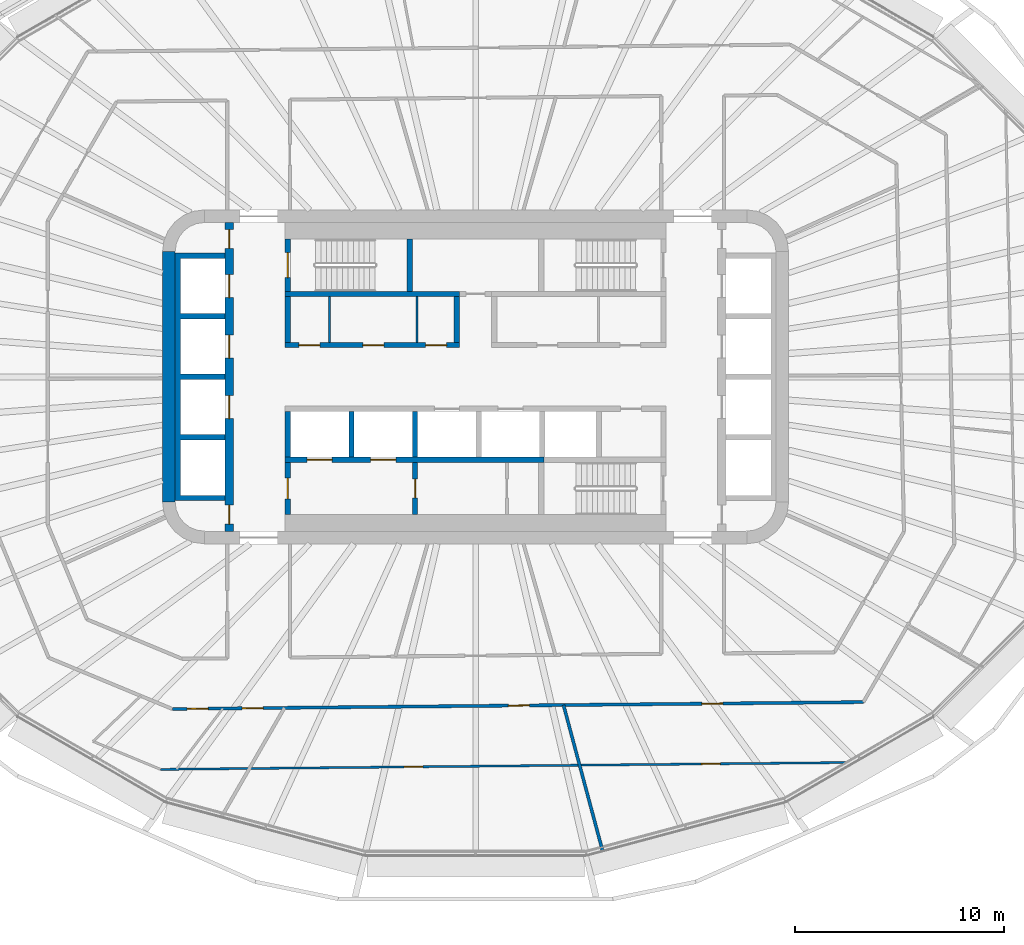
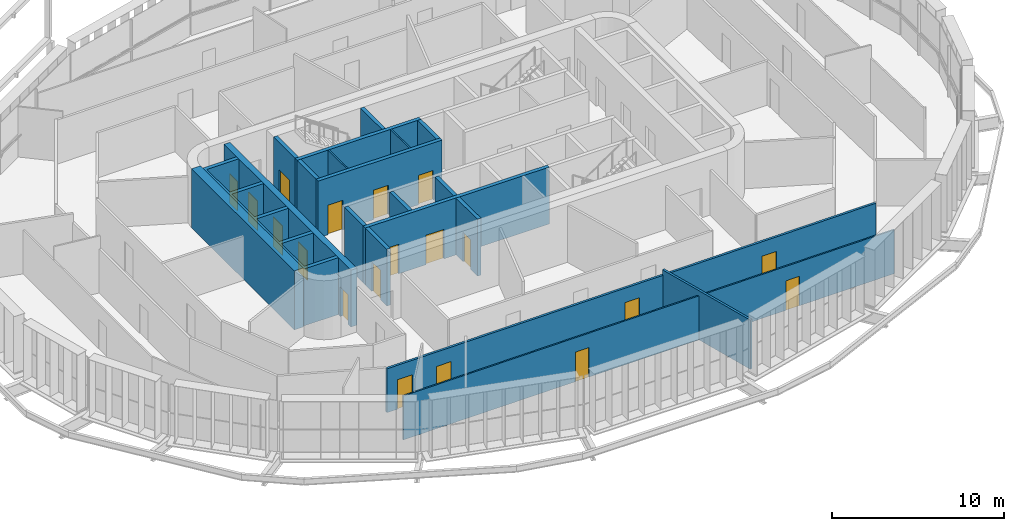
# One storey, part 13 of 24: 20 walls, 19 doors, 19 openings.
"""IFC4 building model written with IfcOpenShell, lengths in metres."""

from ifc_helpers import new_model, si_unit, direction, frame, frame_2d, origin, place, context, subcontext, project, spatial, polyline, rectangle, outline, extrude, material, layer, layer_set, type_object, element, fill, save


model = new_model("IFC4")

# Units and contexts
model_context = context("Model", 3, precision=1e-05, world=origin(), true_north=direction((0.0, 1.0)))
body_context = subcontext(model_context, "Body", "Model", "MODEL_VIEW")
ifc_project = project(units=[si_unit("LENGTHUNIT", "METRE"), si_unit("AREAUNIT", "SQUARE_METRE"), si_unit("VOLUMEUNIT", "CUBIC_METRE"), si_unit("PLANEANGLEUNIT", "RADIAN"), si_unit("MASSUNIT", "GRAM", prefix="KILO")], contexts=[model_context])

# Site, building, storey
site_placement = place(None, origin())
site = spatial("IfcSite", under=ifc_project, at=site_placement, CompositionType="ELEMENT")
building_placement = place(site_placement, origin())
building = spatial("IfcBuilding", under=site, at=building_placement, Name="Sahrelin Media Tower", CompositionType="ELEMENT")
storey_placement = place(building_placement, frame((0.0, 0.0, 58.800048828125)))
storey = spatial("IfcBuildingStorey", under=building, at=storey_placement, Name="L09", CompositionType="ELEMENT", Elevation=58.800048828125)

# Wall
ifc_material_1 = material(Name="Concrete C60/75", Category="concrete")
ifc_layer_1 = layer(ifc_material_1, 0.60009765625)
ifc_layer_set_1 = layer_set([ifc_layer_1], Name="Core wall 600")
wall_type_1 = type_object("IfcWallType", Name="Core wall 600", PredefinedType="SHEAR", material=ifc_layer_set_1)
wall_1_placement = place(storey_placement, frame((-14.699951171875, -6.0, 0.0), z_axis=(0.0, 0.0, 1.0), x_axis=(0.0, 1.0, 0.0)))
element("IfcWall", 1, at=wall_1_placement, inside=storey, type_object=wall_type_1, Name="Core wall W L09", PredefinedType="SHEAR", context=body_context, shape_type="SweptSolid", body=[
    extrude(rectangle(XDim=12.0, YDim=0.60009765625, at=frame_2d((6.0, 0.0))), origin(), (0.0, 0.0, 1.0), 4.199951171875),
])

# Wall, openings, doors
ifc_material_2 = material(Name="Fire-rated gypsum board partition")
ifc_layer_2 = layer(ifc_material_2, 0.25)
ifc_layer_set_2 = layer_set([ifc_layer_2], Name="Fire-rated lobby wall 250")
wall_type_2 = type_object("IfcWallType", Name="Fire-rated lobby wall 250", PredefinedType="PARTITIONING", material=ifc_layer_set_2)
wall_2_placement = place(storey_placement, frame((-9.125, 1.52490234375, 0.0), z_axis=(0.0, 0.0, 1.0), x_axis=(1.0, 0.0, 0.0)))
wall_2 = element("IfcWall", 2, at=wall_2_placement, inside=storey, type_object=wall_type_2, Name="Core lobby wall", PredefinedType="PARTITIONING", context=body_context, shape_type="SweptSolid", body=[
    extrude(rectangle(XDim=8.35009765625, YDim=0.25, at=frame_2d((4.175048828125, 0.0))), origin(), (0.0, 0.0, 1.0), 4.050048828125),
])
opening_1_placement = place(wall_2_placement, frame((0.66259765625, 0.0, 0.0)))
opening_1 = element("IfcOpeningElement", 3, at=opening_1_placement, cuts=wall_2, Name="Opening L09-D08", PredefinedType="OPENING", context=body_context, shape_type="SweptSolid", body=[
    extrude(rectangle(XDim=1.0, YDim=2.10009765625, at=frame_2d((0.5, 1.050048828125))), frame((0.0, 0.125, 0.0), z_axis=(0.0, -1.0, 0.0), x_axis=(1.0, 0.0, 0.0)), (0.0, 0.0, 1.0), 0.25),
])
opening_2_placement = place(wall_2_placement, frame((3.72509765625, 0.0, 0.0)))
opening_2 = element("IfcOpeningElement", 4, at=opening_2_placement, cuts=wall_2, Name="Opening L09-D09", PredefinedType="OPENING", context=body_context, shape_type="SweptSolid", body=[
    extrude(rectangle(XDim=1.0, YDim=2.10009765625, at=frame_2d((0.5, 1.050048828125))), frame((0.0, 0.125, 0.0), z_axis=(0.0, -1.0, 0.0), x_axis=(1.0, 0.0, 0.0)), (0.0, 0.0, 1.0), 0.25),
])
opening_3_placement = place(wall_2_placement, frame((6.737548828125, 0.0, 0.0)))
opening_3 = element("IfcOpeningElement", 5, at=opening_3_placement, cuts=wall_2, Name="Opening L09-D10", PredefinedType="OPENING", context=body_context, shape_type="SweptSolid", body=[
    extrude(rectangle(XDim=1.0, YDim=2.10009765625, at=frame_2d((0.5, 1.050048828125))), frame((0.0, 0.125, 0.0), z_axis=(0.0, -1.0, 0.0), x_axis=(1.0, 0.0, 0.0)), (0.0, 0.0, 1.0), 0.25),
])
ifc_material_3 = material(Name="Steel fire door leaf", Category="steel")
door_type_1 = type_object("IfcDoorType", Name="Fire door 1000 x 2100 EI 60", OperationType="NOTDEFINED", PredefinedType="DOOR", material=ifc_material_3)
door_1_placement = place(opening_1_placement, origin())
door_1 = element("IfcDoor", 6, at=door_1_placement, inside=storey, type_object=door_type_1, Name="Core room door", OperationType="SINGLE_SWING_LEFT", OverallHeight=2.10009765625, OverallWidth=1.0, PredefinedType="DOOR", context=body_context, shape_type="SweptSolid", body=[
    extrude(rectangle(XDim=1.0, YDim=2.10009765625, at=frame_2d((0.5, 1.050048828125))), frame((0.0, 0.02490234375, 0.0), z_axis=(0.0, -1.0, 0.0), x_axis=(1.0, 0.0, 0.0)), (0.0, 0.0, 1.0), 0.050048828125),
])
fill(opening_1, door_1)
door_2_placement = place(opening_2_placement, origin())
door_2 = element("IfcDoor", 7, at=door_2_placement, inside=storey, type_object=door_type_1, Name="Core room door", OperationType="SINGLE_SWING_LEFT", OverallHeight=2.10009765625, OverallWidth=1.0, PredefinedType="DOOR", context=body_context, shape_type="SweptSolid", body=[
    extrude(rectangle(XDim=1.0, YDim=2.10009765625, at=frame_2d((0.5, 1.050048828125))), frame((0.0, 0.02490234375, 0.0), z_axis=(0.0, -1.0, 0.0), x_axis=(1.0, 0.0, 0.0)), (0.0, 0.0, 1.0), 0.050048828125),
])
fill(opening_2, door_2)
door_3_placement = place(opening_3_placement, origin())
door_3 = element("IfcDoor", 8, at=door_3_placement, inside=storey, type_object=door_type_1, Name="Core room door", OperationType="SINGLE_SWING_LEFT", OverallHeight=2.10009765625, OverallWidth=1.0, PredefinedType="DOOR", context=body_context, shape_type="SweptSolid", body=[
    extrude(rectangle(XDim=1.0, YDim=2.10009765625, at=frame_2d((0.5, 1.050048828125))), frame((0.0, 0.02490234375, 0.0), z_axis=(0.0, -1.0, 0.0), x_axis=(1.0, 0.0, 0.0)), (0.0, 0.0, 1.0), 0.050048828125),
])
fill(opening_3, door_3)

# Walls
for number, where, z_axis, x_axis, name in (
    (9, (-9.0, 1.64990234375, 0.0), (0.0, 0.0, 1.0), (0.0, 1.0, 0.0), "Core lobby wall"),
    (10, (-0.89990234375, 1.64990234375, 0.0), (0.0, 0.0, 1.0), (0.0, 1.0, 0.0), "Core lobby wall"),
):
    element("IfcWall", number, at=place(storey_placement, frame(where, z_axis=z_axis, x_axis=x_axis)), inside=storey, type_object=wall_type_2, Name=name, PredefinedType="PARTITIONING", context=body_context, shape_type="SweptSolid", body=[
        extrude(rectangle(XDim=2.2001953125, YDim=0.25, at=frame_2d((1.10009765625, 0.0))), origin(), (0.0, 0.0, 1.0), 4.050048828125),
    ])
ifc_layer_3 = layer(ifc_material_2, 0.10009765625)
ifc_layer_set_3 = layer_set([ifc_layer_3], Name="Fire-rated partition 100")
wall_type_3 = type_object("IfcWallType", Name="Fire-rated partition 100", PredefinedType="PARTITIONING", material=ifc_layer_set_3)
for number, where, z_axis, x_axis, name in (
    (11, (-7.0, 1.64990234375, 0.0), (0.0, 0.0, 1.0), (0.0, 1.0, 0.0), "Core room partition"),
    (12, (-2.800048828125, 1.64990234375, 0.0), (0.0, 0.0, 1.0), (0.0, 1.0, 0.0), "Core room partition"),
):
    element("IfcWall", number, at=place(storey_placement, frame(where, z_axis=z_axis, x_axis=x_axis)), inside=storey, type_object=wall_type_3, Name=name, PredefinedType="PARTITIONING", context=body_context, shape_type="SweptSolid", body=[
        extrude(rectangle(XDim=2.2001953125, YDim=0.10009765625, at=frame_2d((1.10009765625, 0.0))), origin(), (0.0, 0.0, 1.0), 4.050048828125),
    ])
ifc_layer_4 = layer(ifc_material_2, 0.14990234375)
ifc_layer_set_4 = layer_set([ifc_layer_4], Name="Fire-rated partition 150")
wall_type_4 = type_object("IfcWallType", Name="Fire-rated partition 150", PredefinedType="PARTITIONING", material=ifc_layer_set_4)
wall_3_placement = place(storey_placement, frame((4.215087890625, -15.72998046875, 0.0), z_axis=(0.0, 0.0, 1.0), x_axis=(0.25877927493, -0.965936481797, 0.0)))
element("IfcWall", 13, at=wall_3_placement, inside=storey, type_object=wall_type_4, Name="Wall", PredefinedType="PARTITIONING", context=body_context, shape_type="SweptSolid", body=[
    extrude(rectangle(XDim=7.252197265625, YDim=0.14990234375, at=frame_2d((3.6259765625, 0.0))), origin(), (0.0, 0.0, 1.0), 3.501708984375),
])

# Wall, openings, doors
wall_4_placement = place(storey_placement, frame((-14.533935546875, -15.916015625, 0.0), z_axis=(0.0, 0.0, 1.0), x_axis=(0.999950637767, 0.009935896005, 0.0)))
wall_4 = element("IfcWall", 14, at=wall_4_placement, inside=storey, type_object=wall_type_4, Name="Wall", PredefinedType="PARTITIONING", context=body_context, shape_type="SweptSolid", body=[
    extrude(rectangle(XDim=33.12255859375, YDim=0.14990234375, at=frame_2d((16.561279296875, 0.0))), origin(), (0.0, 0.0, 1.0), 3.126953125),
])
opening_4_placement = place(wall_4_placement, frame((0.713134765625, 0.0, 0.0)))
opening_4 = element("IfcOpeningElement", 15, at=opening_4_placement, cuts=wall_4, Name="Opening L09-D42", PredefinedType="OPENING", context=body_context, shape_type="SweptSolid", body=[
    extrude(rectangle(XDim=1.0, YDim=2.10009765625, at=frame_2d((0.5, 1.050048828125))), frame((0.0, 0.074951171875, 0.0), z_axis=(0.0, -1.0, 0.0), x_axis=(1.0, 0.0, 0.0)), (0.0, 0.0, 1.0), 0.14990234375),
])
opening_5_placement = place(wall_4_placement, frame((3.3486328125, 0.0, 0.0)))
opening_5 = element("IfcOpeningElement", 16, at=opening_5_placement, cuts=wall_4, Name="Opening L09-D43", PredefinedType="OPENING", context=body_context, shape_type="SweptSolid", body=[
    extrude(rectangle(XDim=1.0, YDim=2.10009765625, at=frame_2d((0.5, 1.050048828125))), frame((0.0, 0.074951171875, 0.0), z_axis=(0.0, -1.0, 0.0), x_axis=(1.0, 0.0, 0.0)), (0.0, 0.0, 1.0), 0.14990234375),
])
opening_6_placement = place(wall_4_placement, frame((16.111328125, 0.0, 0.0)))
opening_6 = element("IfcOpeningElement", 17, at=opening_6_placement, cuts=wall_4, Name="Opening L09-D45", PredefinedType="OPENING", context=body_context, shape_type="SweptSolid", body=[
    extrude(rectangle(XDim=1.0, YDim=2.10009765625, at=frame_2d((0.5, 1.050048828125))), frame((0.0, 0.074951171875, 0.0), z_axis=(0.0, -1.0, 0.0), x_axis=(1.0, 0.0, 0.0)), (0.0, 0.0, 1.0), 0.14990234375),
])
opening_7_placement = place(wall_4_placement, frame((25.3857421875, 0.0, 0.0)))
opening_7 = element("IfcOpeningElement", 18, at=opening_7_placement, cuts=wall_4, Name="Opening L09-D47", PredefinedType="OPENING", context=body_context, shape_type="SweptSolid", body=[
    extrude(rectangle(XDim=1.0, YDim=2.10009765625, at=frame_2d((0.5, 1.050048828125))), frame((0.0, 0.074951171875, 0.0), z_axis=(0.0, -1.0, 0.0), x_axis=(1.0, 0.0, 0.0)), (0.0, 0.0, 1.0), 0.14990234375),
])
door_4_placement = place(opening_4_placement, origin())
door_4 = element("IfcDoor", 19, at=door_4_placement, inside=storey, type_object=door_type_1, Name="Fire door", OperationType="SINGLE_SWING_RIGHT", OverallHeight=2.10009765625, OverallWidth=1.0, PredefinedType="DOOR", context=body_context, shape_type="SweptSolid", body=[
    extrude(rectangle(XDim=1.0, YDim=2.10009765625, at=frame_2d((0.5, 1.050048828125))), frame((0.0, 0.02490234375, 0.0), z_axis=(0.0, -1.0, 0.0), x_axis=(1.0, 0.0, 0.0)), (0.0, 0.0, 1.0), 0.050048828125),
])
fill(opening_4, door_4)
door_5_placement = place(opening_5_placement, origin())
door_5 = element("IfcDoor", 20, at=door_5_placement, inside=storey, type_object=door_type_1, Name="Fire door", OperationType="SINGLE_SWING_RIGHT", OverallHeight=2.10009765625, OverallWidth=1.0, PredefinedType="DOOR", context=body_context, shape_type="SweptSolid", body=[
    extrude(rectangle(XDim=1.0, YDim=2.10009765625, at=frame_2d((0.5, 1.050048828125))), frame((0.0, 0.02490234375, 0.0), z_axis=(0.0, -1.0, 0.0), x_axis=(1.0, 0.0, 0.0)), (0.0, 0.0, 1.0), 0.050048828125),
])
fill(opening_5, door_5)
door_6_placement = place(opening_6_placement, origin())
door_6 = element("IfcDoor", 21, at=door_6_placement, inside=storey, type_object=door_type_1, Name="Fire door", OperationType="SINGLE_SWING_LEFT", OverallHeight=2.10009765625, OverallWidth=1.0, PredefinedType="DOOR", context=body_context, shape_type="SweptSolid", body=[
    extrude(rectangle(XDim=1.0, YDim=2.10009765625, at=frame_2d((0.5, 1.050048828125))), frame((0.0, 0.02490234375, 0.0), z_axis=(0.0, -1.0, 0.0), x_axis=(1.0, 0.0, 0.0)), (0.0, 0.0, 1.0), 0.050048828125),
])
fill(opening_6, door_6)
door_7_placement = place(opening_7_placement, origin())
door_7 = element("IfcDoor", 22, at=door_7_placement, inside=storey, type_object=door_type_1, Name="Fire door", OperationType="SINGLE_SWING_RIGHT", OverallHeight=2.10009765625, OverallWidth=1.0, PredefinedType="DOOR", context=body_context, shape_type="SweptSolid", body=[
    extrude(rectangle(XDim=1.0, YDim=2.10009765625, at=frame_2d((0.5, 1.050048828125))), frame((0.0, 0.02490234375, 0.0), z_axis=(0.0, -1.0, 0.0), x_axis=(1.0, 0.0, 0.0)), (0.0, 0.0, 1.0), 0.050048828125),
])
fill(opening_7, door_7)

# Wall, opening, door
ifc_layer_5 = layer(ifc_material_2, 0.25)
ifc_layer_set_5 = layer_set([ifc_layer_5], Name="Firefighting lobby wall 250")
wall_type_5 = type_object("IfcWallType", Name="Firefighting lobby wall 250", PredefinedType="PARTITIONING", material=ifc_layer_set_5)
wall_5_placement = place(storey_placement, frame((-9.0, -6.60009765625, 0.0), z_axis=(0.0, 0.0, 1.0), x_axis=(0.0, 1.0, 0.0)))
wall_5 = element("IfcWall", 23, at=wall_5_placement, inside=storey, type_object=wall_type_5, Name="Core wall", PredefinedType="PARTITIONING", context=body_context, shape_type="SweptSolid", body=[
    extrude(rectangle(XDim=2.5, YDim=0.25, at=frame_2d((1.25, 0.0))), origin(), (0.0, 0.0, 1.0), 4.050048828125),
])
opening_8_placement = place(wall_5_placement, frame((0.75, 0.0, 0.0)))
opening_8 = element("IfcOpeningElement", 24, at=opening_8_placement, cuts=wall_5, Name="Opening L09-D04", PredefinedType="OPENING", context=body_context, shape_type="SweptSolid", body=[
    extrude(rectangle(XDim=1.0, YDim=2.10009765625, at=frame_2d((0.5, 1.050048828125))), frame((0.0, 0.125, 0.0), z_axis=(0.0, -1.0, 0.0), x_axis=(1.0, 0.0, 0.0)), (0.0, 0.0, 1.0), 0.25),
])
door_type_2 = type_object("IfcDoorType", Name="Firefighting lobby door 1000 x 2100 EI 120", OperationType="NOTDEFINED", PredefinedType="DOOR", material=ifc_material_3)
door_8_placement = place(opening_8_placement, origin())
door_8 = element("IfcDoor", 25, at=door_8_placement, inside=storey, type_object=door_type_2, Name="Firefighting lobby door", OperationType="SINGLE_SWING_LEFT", OverallHeight=2.10009765625, OverallWidth=1.0, PredefinedType="DOOR", context=body_context, shape_type="SweptSolid", body=[
    extrude(rectangle(XDim=1.0, YDim=2.10009765625, at=frame_2d((0.5, 1.050048828125))), frame((0.0, 0.02490234375, 0.0), z_axis=(0.0, -1.0, 0.0), x_axis=(1.0, 0.0, 0.0)), (0.0, 0.0, 1.0), 0.050048828125),
])
fill(opening_8, door_8)

wall_6_placement = place(storey_placement, frame((-2.89990234375, -6.60009765625, 0.0), z_axis=(0.0, 0.0, 1.0), x_axis=(0.0, 1.0, 0.0)))
wall_6 = element("IfcWall", 26, at=wall_6_placement, inside=storey, type_object=wall_type_5, Name="Core wall", PredefinedType="PARTITIONING", context=body_context, shape_type="SweptSolid", body=[
    extrude(rectangle(XDim=2.5, YDim=0.25, at=frame_2d((1.25, 0.0))), origin(), (0.0, 0.0, 1.0), 4.050048828125),
])
opening_9_placement = place(wall_6_placement, frame((0.800048828125, 0.0, 0.0)))
opening_9 = element("IfcOpeningElement", 27, at=opening_9_placement, cuts=wall_6, Name="Opening L09-D05", PredefinedType="OPENING", context=body_context, shape_type="SweptSolid", body=[
    extrude(rectangle(XDim=0.89990234375, YDim=2.10009765625, at=frame_2d((0.449951171875, 1.050048828125))), frame((0.0, 0.125, 0.0), z_axis=(0.0, -1.0, 0.0), x_axis=(1.0, 0.0, 0.0)), (0.0, 0.0, 1.0), 0.25),
])
door_type_3 = type_object("IfcDoorType", Name="Firefighting lobby door 900 x 2100 EI 120", OperationType="NOTDEFINED", PredefinedType="DOOR", material=ifc_material_3)
door_9_placement = place(opening_9_placement, origin())
door_9 = element("IfcDoor", 28, at=door_9_placement, inside=storey, type_object=door_type_3, Name="Riser door", OperationType="SINGLE_SWING_RIGHT", OverallHeight=2.10009765625, OverallWidth=0.89990234375, PredefinedType="DOOR", context=body_context, shape_type="SweptSolid", body=[
    extrude(rectangle(XDim=0.89990234375, YDim=2.10009765625, at=frame_2d((0.449951171875, 1.050048828125))), frame((0.0, 0.02490234375, 0.0), z_axis=(0.0, -1.0, 0.0), x_axis=(1.0, 0.0, 0.0)), (0.0, 0.0, 1.0), 0.050048828125),
])
fill(opening_9, door_9)

# Wall, openings, doors
ifc_layer_6 = layer(ifc_material_1, 0.25)
ifc_layer_set_6 = layer_set([ifc_layer_6], Name="Lift shaft wall 250")
wall_type_6 = type_object("IfcWallType", Name="Lift shaft wall 250", PredefinedType="SOLIDWALL", material=ifc_layer_set_6)
wall_7_placement = place(storey_placement, frame((-9.125, -3.97509765625, 0.0), z_axis=(0.0, 0.0, 1.0), x_axis=(1.0, 0.0, 0.0)))
wall_7 = element("IfcWall", 29, at=wall_7_placement, inside=storey, type_object=wall_type_6, Name="Lift shaft wall", PredefinedType="SOLIDWALL", context=body_context, shape_type="SweptSolid", body=[
    extrude(rectangle(XDim=12.39990234375, YDim=0.25, at=frame_2d((6.199951171875, 0.0))), origin(), (0.0, 0.0, 1.0), 4.050048828125),
])
opening_10_placement = place(wall_7_placement, frame((1.050048828125, 0.0, 0.0)))
opening_10 = element("IfcOpeningElement", 30, at=opening_10_placement, cuts=wall_7, Name="Opening L09-LD-FF1", PredefinedType="OPENING", context=body_context, shape_type="SweptSolid", body=[
    extrude(rectangle(XDim=1.199951171875, YDim=2.10009765625, at=frame_2d((0.60009765625, 1.050048828125))), frame((0.0, 0.125, 0.0), z_axis=(0.0, -1.0, 0.0), x_axis=(1.0, 0.0, 0.0)), (0.0, 0.0, 1.0), 0.25),
])
opening_11_placement = place(wall_7_placement, frame((4.10009765625, 0.0, 0.0)))
opening_11 = element("IfcOpeningElement", 31, at=opening_11_placement, cuts=wall_7, Name="Opening L09-LD-FF2", PredefinedType="OPENING", context=body_context, shape_type="SweptSolid", body=[
    extrude(rectangle(XDim=1.199951171875, YDim=2.10009765625, at=frame_2d((0.60009765625, 1.050048828125))), frame((0.0, 0.125, 0.0), z_axis=(0.0, -1.0, 0.0), x_axis=(1.0, 0.0, 0.0)), (0.0, 0.0, 1.0), 0.25),
])
ifc_material_4 = material(Name="Stainless steel", Category="steel")
door_type_4 = type_object("IfcDoorType", Name="Lift landing door 1200 x 2100 EI 120", OperationType="DOUBLE_DOOR_SLIDING", PredefinedType="DOOR", material=ifc_material_4)
door_10_placement = place(opening_10_placement, origin())
door_10 = element("IfcDoor", 32, at=door_10_placement, inside=storey, type_object=door_type_4, Name="Lift landing door FF1", OperationType="DOUBLE_DOOR_SLIDING", OverallHeight=2.10009765625, OverallWidth=1.199951171875, PredefinedType="DOOR", context=body_context, shape_type="SweptSolid", body=[
    extrude(rectangle(XDim=1.199951171875, YDim=2.10009765625, at=frame_2d((0.60009765625, 1.050048828125))), frame((0.0, 0.02490234375, 0.0), z_axis=(0.0, -1.0, 0.0), x_axis=(1.0, 0.0, 0.0)), (0.0, 0.0, 1.0), 0.050048828125),
])
fill(opening_10, door_10)
door_11_placement = place(opening_11_placement, origin())
door_11 = element("IfcDoor", 33, at=door_11_placement, inside=storey, type_object=door_type_4, Name="Lift landing door FF2", OperationType="DOUBLE_DOOR_SLIDING", OverallHeight=2.10009765625, OverallWidth=1.199951171875, PredefinedType="DOOR", context=body_context, shape_type="SweptSolid", body=[
    extrude(rectangle(XDim=1.199951171875, YDim=2.10009765625, at=frame_2d((0.60009765625, 1.050048828125))), frame((0.0, 0.02490234375, 0.0), z_axis=(0.0, -1.0, 0.0), x_axis=(1.0, 0.0, 0.0)), (0.0, 0.0, 1.0), 0.050048828125),
])
fill(opening_11, door_11)

# Walls
for number, where, z_axis, x_axis, name in (
    (34, (-9.0, -3.85009765625, 0.0), (0.0, 0.0, 1.0), (0.0, 1.0, 0.0), "Lift shaft wall"),
    (35, (-5.949951171875, -3.85009765625, 0.0), (0.0, 0.0, 1.0), (0.0, 1.0, 0.0), "Lift shaft wall"),
    (36, (-2.89990234375, -3.85009765625, 0.0), (0.0, 0.0, 1.0), (0.0, 1.0, 0.0), "Lift shaft wall"),
):
    element("IfcWall", number, at=place(storey_placement, frame(where, z_axis=z_axis, x_axis=x_axis)), inside=storey, type_object=wall_type_6, Name=name, PredefinedType="SOLIDWALL", context=body_context, shape_type="SweptSolid", body=[
        extrude(rectangle(XDim=2.2001953125, YDim=0.25, at=frame_2d((1.10009765625, 0.0))), origin(), (0.0, 0.0, 1.0), 4.050048828125),
    ])
wall_8_placement = place(storey_placement, origin())
element("IfcWall", 37, at=wall_8_placement, inside=storey, type_object=wall_type_6, Name="Lift shaft wall", PredefinedType="SOLIDWALL", context=body_context, shape_type="SweptSolid", body=[
    extrude(outline(polyline([(-12.0, -5.925048828125), (-12.0, -5.675048828125), (-14.14990234375, -5.675048828125), (-14.14990234375, -3.02490234375), (-12.0, -3.02490234375), (-12.0, -2.77490234375), (-14.14990234375, -2.77490234375), (-14.14990234375, -0.125), (-12.0, -0.125), (-12.0, 0.125), (-14.14990234375, 0.125), (-14.14990234375, 2.77490234375), (-12.0, 2.77490234375), (-12.0, 3.02490234375), (-14.14990234375, 3.02490234375), (-14.14990234375, 5.675048828125), (-12.0, 5.675048828125), (-12.0, 5.925048828125), (-14.14990234375, 5.925048828125), (-14.39990234375, 5.925048828125), (-14.39990234375, 5.675048828125), (-14.39990234375, 3.02490234375), (-14.39990234375, 2.77490234375), (-14.39990234375, 0.125), (-14.39990234375, -0.125), (-14.39990234375, -2.77490234375), (-14.39990234375, -3.02490234375), (-14.39990234375, -5.675048828125), (-14.39990234375, -5.925048828125), (-14.14990234375, -5.925048828125), (-12.0, -5.925048828125)])), origin(), (0.0, 0.0, 1.0), 4.050048828125),
])

# Wall, openings, doors
ifc_layer_7 = layer(ifc_material_1, 0.39990234375)
ifc_layer_set_7 = layer_set([ifc_layer_7], Name="Lift shaft wall 400")
wall_type_7 = type_object("IfcWallType", Name="Lift shaft wall 400", PredefinedType="SOLIDWALL", material=ifc_layer_set_7)
wall_9_placement = place(storey_placement, frame((-11.800048828125, -7.39990234375, 0.0), z_axis=(0.0, 0.0, 1.0), x_axis=(0.0, 1.0, 0.0)))
wall_9 = element("IfcWall", 38, at=wall_9_placement, inside=storey, type_object=wall_type_7, Name="Lift shaft wall", PredefinedType="SOLIDWALL", context=body_context, shape_type="SweptSolid", body=[
    extrude(rectangle(XDim=14.7998046875, YDim=0.39990234375, at=frame_2d((7.39990234375, 0.0))), origin(), (0.0, 0.0, 1.0), 4.050048828125),
])
opening_12_placement = place(wall_9_placement, frame((11.199951171875, 0.0, 0.0)))
opening_12 = element("IfcOpeningElement", 39, at=opening_12_placement, cuts=wall_9, Name="Opening L09-LD-LR1", PredefinedType="OPENING", context=body_context, shape_type="SweptSolid", body=[
    extrude(rectangle(XDim=1.10009765625, YDim=2.10009765625, at=frame_2d((0.550048828125, 1.050048828125))), frame((0.0, 0.199951171875, 0.0), z_axis=(0.0, -1.0, 0.0), x_axis=(1.0, 0.0, 0.0)), (0.0, 0.0, 1.0), 0.39990234375),
])
opening_13_placement = place(wall_9_placement, frame((8.300048828125, 0.0, 0.0)))
opening_13 = element("IfcOpeningElement", 40, at=opening_13_placement, cuts=wall_9, Name="Opening L09-LD-LR2", PredefinedType="OPENING", context=body_context, shape_type="SweptSolid", body=[
    extrude(rectangle(XDim=1.10009765625, YDim=2.10009765625, at=frame_2d((0.550048828125, 1.050048828125))), frame((0.0, 0.199951171875, 0.0), z_axis=(0.0, -1.0, 0.0), x_axis=(1.0, 0.0, 0.0)), (0.0, 0.0, 1.0), 0.39990234375),
])
opening_14_placement = place(wall_9_placement, frame((5.39990234375, 0.0, 0.0)))
opening_14 = element("IfcOpeningElement", 41, at=opening_14_placement, cuts=wall_9, Name="Opening L09-LD-LR3", PredefinedType="OPENING", context=body_context, shape_type="SweptSolid", body=[
    extrude(rectangle(XDim=1.10009765625, YDim=2.10009765625, at=frame_2d((0.550048828125, 1.050048828125))), frame((0.0, 0.199951171875, 0.0), z_axis=(0.0, -1.0, 0.0), x_axis=(1.0, 0.0, 0.0)), (0.0, 0.0, 1.0), 0.39990234375),
])
opening_15_placement = place(wall_9_placement, frame((13.552490234375, 0.0, 0.0)))
opening_15 = element("IfcOpeningElement", 42, at=opening_15_placement, cuts=wall_9, Name="Opening L09-D14", PredefinedType="OPENING", context=body_context, shape_type="SweptSolid", body=[
    extrude(rectangle(XDim=0.89990234375, YDim=2.10009765625, at=frame_2d((0.449951171875, 1.050048828125))), frame((0.0, 0.199951171875, 0.0), z_axis=(0.0, -1.0, 0.0), x_axis=(1.0, 0.0, 0.0)), (0.0, 0.0, 1.0), 0.39990234375),
])
opening_16_placement = place(wall_9_placement, frame((0.347412109375, 0.0, 0.0)))
opening_16 = element("IfcOpeningElement", 43, at=opening_16_placement, cuts=wall_9, Name="Opening L09-D15", PredefinedType="OPENING", context=body_context, shape_type="SweptSolid", body=[
    extrude(rectangle(XDim=0.89990234375, YDim=2.10009765625, at=frame_2d((0.449951171875, 1.050048828125))), frame((0.0, 0.199951171875, 0.0), z_axis=(0.0, -1.0, 0.0), x_axis=(1.0, 0.0, 0.0)), (0.0, 0.0, 1.0), 0.39990234375),
])
door_type_5 = type_object("IfcDoorType", Name="Lift landing door 1100 x 2100 EI 120", OperationType="DOUBLE_DOOR_SLIDING", PredefinedType="DOOR", material=ifc_material_4)
door_12_placement = place(opening_12_placement, origin())
door_12 = element("IfcDoor", 44, at=door_12_placement, inside=storey, type_object=door_type_5, Name="Lift landing door LR1", OperationType="DOUBLE_DOOR_SLIDING", OverallHeight=2.10009765625, OverallWidth=1.10009765625, PredefinedType="DOOR", context=body_context, shape_type="SweptSolid", body=[
    extrude(rectangle(XDim=1.10009765625, YDim=2.10009765625, at=frame_2d((0.550048828125, 1.050048828125))), frame((0.0, 0.02490234375, 0.0), z_axis=(0.0, -1.0, 0.0), x_axis=(1.0, 0.0, 0.0)), (0.0, 0.0, 1.0), 0.050048828125),
])
fill(opening_12, door_12)
door_13_placement = place(opening_13_placement, origin())
door_13 = element("IfcDoor", 45, at=door_13_placement, inside=storey, type_object=door_type_5, Name="Lift landing door LR2", OperationType="DOUBLE_DOOR_SLIDING", OverallHeight=2.10009765625, OverallWidth=1.10009765625, PredefinedType="DOOR", context=body_context, shape_type="SweptSolid", body=[
    extrude(rectangle(XDim=1.10009765625, YDim=2.10009765625, at=frame_2d((0.550048828125, 1.050048828125))), frame((0.0, 0.02490234375, 0.0), z_axis=(0.0, -1.0, 0.0), x_axis=(1.0, 0.0, 0.0)), (0.0, 0.0, 1.0), 0.050048828125),
])
fill(opening_13, door_13)
door_14_placement = place(opening_14_placement, origin())
door_14 = element("IfcDoor", 46, at=door_14_placement, inside=storey, type_object=door_type_5, Name="Lift landing door LR3", OperationType="DOUBLE_DOOR_SLIDING", OverallHeight=2.10009765625, OverallWidth=1.10009765625, PredefinedType="DOOR", context=body_context, shape_type="SweptSolid", body=[
    extrude(rectangle(XDim=1.10009765625, YDim=2.10009765625, at=frame_2d((0.550048828125, 1.050048828125))), frame((0.0, 0.02490234375, 0.0), z_axis=(0.0, -1.0, 0.0), x_axis=(1.0, 0.0, 0.0)), (0.0, 0.0, 1.0), 0.050048828125),
])
fill(opening_14, door_14)
door_type_6 = type_object("IfcDoorType", Name="Riser door 900 x 2100 EI 120", OperationType="NOTDEFINED", PredefinedType="DOOR", material=ifc_material_3)
door_15_placement = place(opening_15_placement, origin())
door_15 = element("IfcDoor", 47, at=door_15_placement, inside=storey, type_object=door_type_6, Name="Riser door", OperationType="SINGLE_SWING_LEFT", OverallHeight=2.10009765625, OverallWidth=0.89990234375, PredefinedType="DOOR", context=body_context, shape_type="SweptSolid", body=[
    extrude(rectangle(XDim=0.89990234375, YDim=2.10009765625, at=frame_2d((0.449951171875, 1.050048828125))), frame((0.0, 0.02490234375, 0.0), z_axis=(0.0, -1.0, 0.0), x_axis=(1.0, 0.0, 0.0)), (0.0, 0.0, 1.0), 0.050048828125),
])
fill(opening_15, door_15)
door_16_placement = place(opening_16_placement, origin())
door_16 = element("IfcDoor", 48, at=door_16_placement, inside=storey, type_object=door_type_6, Name="Riser door", OperationType="SINGLE_SWING_LEFT", OverallHeight=2.10009765625, OverallWidth=0.89990234375, PredefinedType="DOOR", context=body_context, shape_type="SweptSolid", body=[
    extrude(rectangle(XDim=0.89990234375, YDim=2.10009765625, at=frame_2d((0.449951171875, 1.050048828125))), frame((0.0, 0.02490234375, 0.0), z_axis=(0.0, -1.0, 0.0), x_axis=(1.0, 0.0, 0.0)), (0.0, 0.0, 1.0), 0.050048828125),
])
fill(opening_16, door_16)

ifc_material_5 = material(Name="Gypsum board partition")
ifc_layer_8 = layer(ifc_material_5, 0.10009765625)
ifc_layer_set_8 = layer_set([ifc_layer_8], Name="Partition 100")
wall_type_8 = type_object("IfcWallType", Name="Partition 100", PredefinedType="PARTITIONING", material=ifc_layer_set_8)
wall_10_placement = place(storey_placement, frame((-15.094970703125, -18.81201171875, 0.0), z_axis=(0.0, 0.0, 1.0), x_axis=(0.999950080065, 0.009991865576, 0.0)))
wall_10 = element("IfcWall", 49, at=wall_10_placement, inside=storey, type_object=wall_type_8, Name="Wall", PredefinedType="PARTITIONING", context=body_context, shape_type="SweptSolid", body=[
    extrude(rectangle(XDim=33.254638671875, YDim=0.10009765625, at=frame_2d((16.62744140625, 0.0))), origin(), (0.0, 0.0, 1.0), 3.126953125),
])
opening_17_placement = place(wall_10_placement, frame((11.670654296875, 0.0, 0.0)))
opening_17 = element("IfcOpeningElement", 50, at=opening_17_placement, cuts=wall_10, Name="Opening L09-D46", PredefinedType="OPENING", context=body_context, shape_type="SweptSolid", body=[
    extrude(rectangle(XDim=0.89990234375, YDim=2.10009765625, at=frame_2d((0.449951171875, 1.050048828125))), frame((0.0, 0.050048828125, 0.0), z_axis=(0.0, -1.0, 0.0), x_axis=(1.0, 0.0, 0.0)), (0.0, 0.0, 1.0), 0.10009765625),
])
opening_18_placement = place(wall_10_placement, frame((25.917724609375, 0.0, 0.0)))
opening_18 = element("IfcOpeningElement", 51, at=opening_18_placement, cuts=wall_10, Name="Opening L09-D48", PredefinedType="OPENING", context=body_context, shape_type="SweptSolid", body=[
    extrude(rectangle(XDim=0.89990234375, YDim=2.10009765625, at=frame_2d((0.449951171875, 1.050048828125))), frame((0.0, 0.050048828125, 0.0), z_axis=(0.0, -1.0, 0.0), x_axis=(1.0, 0.0, 0.0)), (0.0, 0.0, 1.0), 0.10009765625),
])
ifc_material_6 = material(Name="Timber door leaf", Category="wood")
door_type_7 = type_object("IfcDoorType", Name="Single door 900 x 2100", OperationType="NOTDEFINED", PredefinedType="DOOR", material=ifc_material_6)
door_17_placement = place(opening_17_placement, origin())
door_17 = element("IfcDoor", 52, at=door_17_placement, inside=storey, type_object=door_type_7, Name="Single door", OperationType="SINGLE_SWING_RIGHT", OverallHeight=2.10009765625, OverallWidth=0.89990234375, PredefinedType="DOOR", context=body_context, shape_type="SweptSolid", body=[
    extrude(rectangle(XDim=0.89990234375, YDim=2.10009765625, at=frame_2d((0.449951171875, 1.050048828125))), frame((0.0, 0.02490234375, 0.0), z_axis=(0.0, -1.0, 0.0), x_axis=(1.0, 0.0, 0.0)), (0.0, 0.0, 1.0), 0.050048828125),
])
fill(opening_17, door_17)
door_18_placement = place(opening_18_placement, origin())
door_18 = element("IfcDoor", 53, at=door_18_placement, inside=storey, type_object=door_type_7, Name="Single door", OperationType="SINGLE_SWING_LEFT", OverallHeight=2.10009765625, OverallWidth=0.89990234375, PredefinedType="DOOR", context=body_context, shape_type="SweptSolid", body=[
    extrude(rectangle(XDim=0.89990234375, YDim=2.10009765625, at=frame_2d((0.449951171875, 1.050048828125))), frame((0.0, 0.02490234375, 0.0), z_axis=(0.0, -1.0, 0.0), x_axis=(1.0, 0.0, 0.0)), (0.0, 0.0, 1.0), 0.050048828125),
])
fill(opening_18, door_18)

# Wall, opening, door
ifc_layer_9 = layer(ifc_material_1, 0.25)
ifc_layer_set_9 = layer_set([ifc_layer_9], Name="Stair enclosure wall 250")
wall_type_9 = type_object("IfcWallType", Name="Stair enclosure wall 250", PredefinedType="SOLIDWALL", material=ifc_layer_set_9)
wall_11_placement = place(storey_placement, frame((-9.0, 4.10009765625, 0.0), z_axis=(0.0, 0.0, 1.0), x_axis=(0.0, 1.0, 0.0)))
wall_11 = element("IfcWall", 54, at=wall_11_placement, inside=storey, type_object=wall_type_9, Name="Stair enclosure wall", PredefinedType="SOLIDWALL", context=body_context, shape_type="SweptSolid", body=[
    extrude(rectangle(XDim=2.5, YDim=0.25, at=frame_2d((1.25, 0.0))), origin(), (0.0, 0.0, 1.0), 4.050048828125),
])
opening_19_placement = place(wall_11_placement, frame((0.64990234375, 0.0, 0.0)))
opening_19 = element("IfcOpeningElement", 55, at=opening_19_placement, cuts=wall_11, Name="Opening L09-D01", PredefinedType="OPENING", context=body_context, shape_type="SweptSolid", body=[
    extrude(rectangle(XDim=1.199951171875, YDim=2.10009765625, at=frame_2d((0.60009765625, 1.050048828125))), frame((0.0, 0.125, 0.0), z_axis=(0.0, -1.0, 0.0), x_axis=(1.0, 0.0, 0.0)), (0.0, 0.0, 1.0), 0.25),
])
door_type_8 = type_object("IfcDoorType", Name="Stair door 1200 x 2100 EI 120", OperationType="NOTDEFINED", PredefinedType="DOOR", material=ifc_material_3)
door_19_placement = place(opening_19_placement, origin())
door_19 = element("IfcDoor", 56, at=door_19_placement, inside=storey, type_object=door_type_8, Name="Stair door ST1", OperationType="SINGLE_SWING_RIGHT", OverallHeight=2.10009765625, OverallWidth=1.199951171875, PredefinedType="DOOR", context=body_context, shape_type="SweptSolid", body=[
    extrude(rectangle(XDim=1.199951171875, YDim=2.10009765625, at=frame_2d((0.60009765625, 1.050048828125))), frame((0.0, 0.02490234375, 0.0), z_axis=(0.0, -1.0, 0.0), x_axis=(1.0, 0.0, 0.0)), (0.0, 0.0, 1.0), 0.050048828125),
])
fill(opening_19, door_19)

# Walls
wall_12_placement = place(storey_placement, frame((-3.14990234375, 4.10009765625, 0.0), z_axis=(0.0, 0.0, 1.0), x_axis=(0.0, 1.0, 0.0)))
element("IfcWall", 57, at=wall_12_placement, inside=storey, type_object=wall_type_9, Name="Stair enclosure wall", PredefinedType="SOLIDWALL", context=body_context, shape_type="SweptSolid", body=[
    extrude(rectangle(XDim=2.5, YDim=0.25, at=frame_2d((1.25, 0.0))), origin(), (0.0, 0.0, 1.0), 4.050048828125),
])
wall_13_placement = place(storey_placement, frame((-9.125, 3.97509765625, 0.0), z_axis=(0.0, 0.0, 1.0), x_axis=(1.0, 0.0, 0.0)))
element("IfcWall", 58, at=wall_13_placement, inside=storey, type_object=wall_type_9, Name="Stair enclosure wall", PredefinedType="SOLIDWALL", context=body_context, shape_type="SweptSolid", body=[
    extrude(rectangle(XDim=8.35009765625, YDim=0.25, at=frame_2d((4.175048828125, 0.0))), origin(), (0.0, 0.0, 1.0), 4.050048828125),
])

save(model, "model.ifc")
